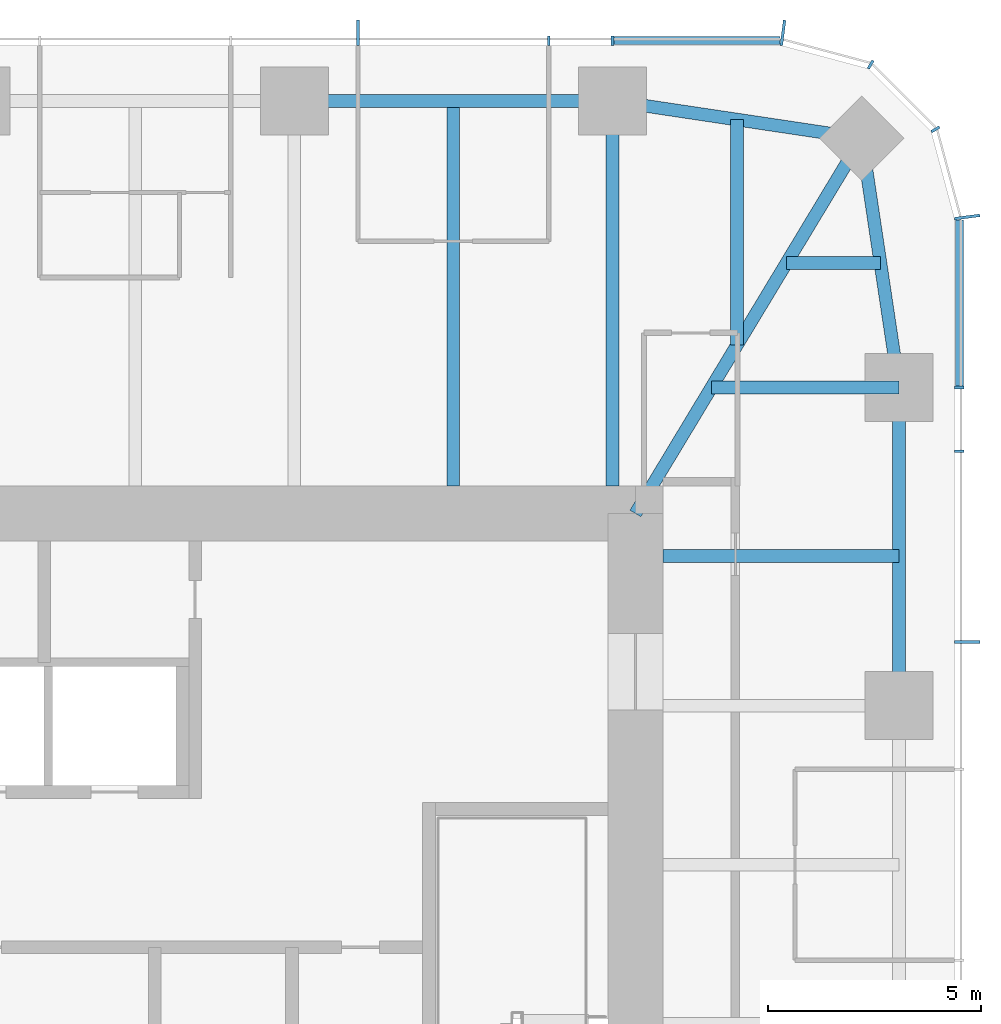
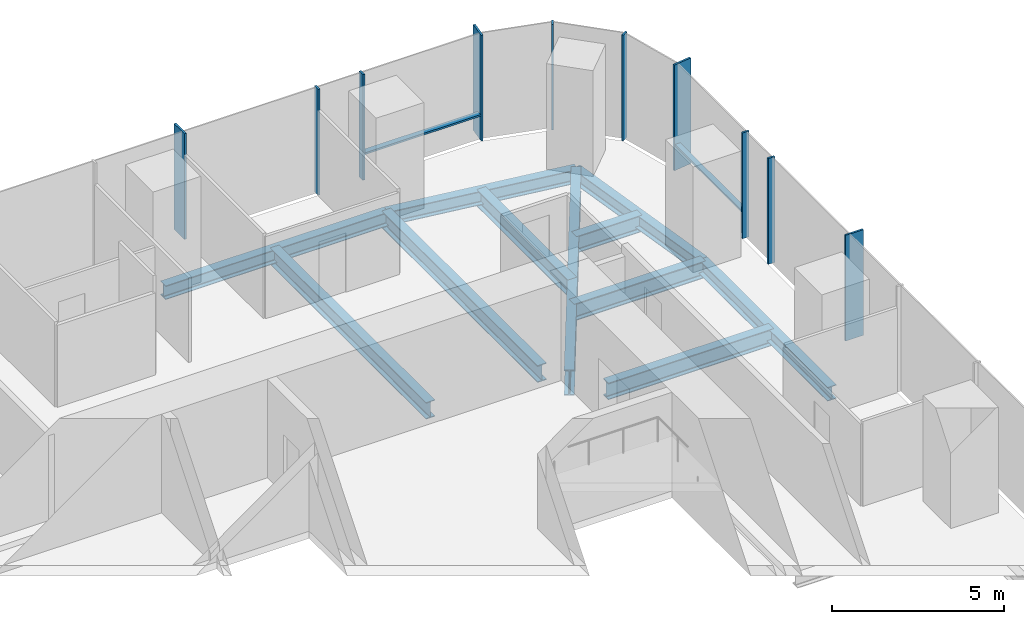
# One storey, part 6 of 12: 12 members, 11 beams, 3 elements without a shape of their own.
"""IFC4 building model written with IfcOpenShell, lengths in metres."""

from ifc_helpers import new_model, si_unit, direction, frame, origin, origin_2d, place, context, subcontext, project, spatial, rectangle, i_section, extrude, material, material_profile, profile_set, type_object, element, aggregate, save


model = new_model("IFC4")

# Units and contexts
model_context = context("Model", 3, precision=1e-05, world=origin(), true_north=direction((0.0, 1.0)))
body_context = subcontext(model_context, "Body", "Model", "MODEL_VIEW")
ifc_project = project(units=[si_unit("LENGTHUNIT", "METRE"), si_unit("AREAUNIT", "SQUARE_METRE"), si_unit("VOLUMEUNIT", "CUBIC_METRE"), si_unit("PLANEANGLEUNIT", "RADIAN"), si_unit("MASSUNIT", "GRAM", prefix="KILO")], contexts=[model_context])

# Site, building, storey
site_placement = place(None, origin())
site = spatial("IfcSite", under=ifc_project, at=site_placement, CompositionType="ELEMENT")
building_placement = place(site_placement, origin())
building = spatial("IfcBuilding", under=site, at=building_placement, Name="Khuree Lantern Residences", CompositionType="ELEMENT")
storey_placement = place(building_placement, frame((0.0, 0.0, 338.25)))
storey = spatial("IfcBuildingStorey", under=building, at=storey_placement, Name="L85", CompositionType="ELEMENT", Elevation=338.25)

# Beams
ifc_material_1 = material(Name="Steel S355", Category="steel")
ifc_material_profile_1 = material_profile(ifc_material_1, i_section(OverallWidth=0.300048828125, OverallDepth=0.590087890625, WebThickness=0.012939453125, FlangeThickness=0.02490234375, FilletRadius=0.027099609375, at=origin_2d()), Name="HE 600 A")
ifc_profile_set_1 = profile_set([ifc_material_profile_1], Name="Steel S355")
beam_type_1 = type_object("IfcBeamType", Name="B-44 SECONDARY BEAM HE 600 A", PredefinedType="BEAM", material=ifc_profile_set_1)
beam_1_placement = place(storey_placement, frame((11.219970703125, 21.699951171875, -0.544921875), z_axis=(0.0, -1.0, 0.0), x_axis=(1.0, 0.0, 0.0)))
element("IfcBeam", 1, at=beam_1_placement, inside=storey, type_object=beam_type_1, Name="Secondary beam N4", PredefinedType="BEAM", context=body_context, shape_type="SweptSolid", body=[
    extrude(i_section(OverallWidth=0.300048828125, OverallDepth=0.590087890625, WebThickness=0.012939453125, FlangeThickness=0.02490234375, FilletRadius=0.027099609375, at=origin_2d()), origin(), (0.0, 0.0, 1.0), 9.050048828125),
])
beam_2_placement = place(storey_placement, frame((17.890625, 21.2607421875, -0.544921875), z_axis=(0.0, -1.0, 0.0), x_axis=(1.0, 0.0, 0.0)))
element("IfcBeam", 2, at=beam_2_placement, inside=storey, type_object=beam_type_1, Name="Secondary beam N5", PredefinedType="BEAM", context=body_context, shape_type="SweptSolid", body=[
    extrude(i_section(OverallWidth=0.300048828125, OverallDepth=0.590087890625, WebThickness=0.012939453125, FlangeThickness=0.02490234375, FilletRadius=0.027099609375, at=origin_2d()), origin(), (0.0, 0.0, 1.0), 5.297607421875),
])
beam_3_placement = place(storey_placement, frame((21.2607421875, 17.890625, -0.544921875), z_axis=(-1.0, 0.0, 0.0), x_axis=(0.0, -1.0, 0.0)))
element("IfcBeam", 3, at=beam_3_placement, inside=storey, type_object=beam_type_1, Name="Secondary beam E1", PredefinedType="BEAM", context=body_context, shape_type="SweptSolid", body=[
    extrude(i_section(OverallWidth=0.300048828125, OverallDepth=0.590087890625, WebThickness=0.012939453125, FlangeThickness=0.02490234375, FilletRadius=0.027099609375, at=origin_2d()), origin(), (0.0, 0.0, 1.0), 2.207275390625),
])
beam_4_placement = place(storey_placement, frame((21.699951171875, 11.0, -0.544921875), z_axis=(-1.0, 0.0, 0.0), x_axis=(0.0, -1.0, 0.0)))
element("IfcBeam", 4, at=beam_4_placement, inside=storey, type_object=beam_type_1, Name="Secondary beam E2", PredefinedType="BEAM", context=body_context, shape_type="SweptSolid", body=[
    extrude(i_section(OverallWidth=0.300048828125, OverallDepth=0.590087890625, WebThickness=0.012939453125, FlangeThickness=0.02490234375, FilletRadius=0.027099609375, at=origin_2d()), origin(), (0.0, 0.0, 1.0), 5.550048828125),
])
ifc_material_profile_2 = material_profile(ifc_material_1, i_section(OverallWidth=0.300048828125, OverallDepth=0.489990234375, WebThickness=0.011962890625, FlangeThickness=0.02294921875, FilletRadius=0.027099609375, at=origin_2d()), Name="HE 500 A")
ifc_profile_set_2 = profile_set([ifc_material_profile_2], Name="Steel S355")
beam_type_2 = type_object("IfcBeamType", Name="E-44 SPANDREL BEAM HE 500 A", PredefinedType="SPANDREL", material=ifc_profile_set_2)
beam_5_placement = place(storey_placement, frame((7.47998046875, 21.699951171875, -0.4951171875), z_axis=(1.0, 0.0, 0.0), x_axis=(0.0, 1.0, 0.0)))
element("IfcBeam", 5, at=beam_5_placement, inside=storey, type_object=beam_type_2, Name="Spandrel beam N4", PredefinedType="SPANDREL", context=body_context, shape_type="SweptSolid", body=[
    extrude(i_section(OverallWidth=0.300048828125, OverallDepth=0.489990234375, WebThickness=0.011962890625, FlangeThickness=0.02294921875, FilletRadius=0.027099609375, at=origin_2d()), origin(), (0.0, 0.0, 1.0), 7.47998046875),
])
for number, where, z_axis, x_axis, name in (
    (6, (14.9599609375, 21.699951171875, -0.4951171875), (0.988949643299, -0.148251822985, 0.0), (0.148251822985, 0.988949643299, 0.0), "Spandrel beam N5"),
    (7, (20.8212890625, 20.8212890625, -0.4951171875), (0.148251822985, -0.988949643299, 0.0), (0.988949643299, 0.148251822985, 0.0), "Spandrel beam E1"),
):
    element("IfcBeam", number, at=place(storey_placement, frame(where, z_axis=z_axis, x_axis=x_axis)), inside=storey, type_object=beam_type_2, Name=name, PredefinedType="SPANDREL", context=body_context, shape_type="SweptSolid", body=[
        extrude(i_section(OverallWidth=0.300048828125, OverallDepth=0.489990234375, WebThickness=0.011962890625, FlangeThickness=0.02294921875, FilletRadius=0.027099609375, at=origin_2d()), origin(), (0.0, 0.0, 1.0), 5.9267578125),
    ])
beam_6_placement = place(storey_placement, frame((21.699951171875, 14.9599609375, -0.4951171875), z_axis=(0.0, -1.0, 0.0), x_axis=(1.0, 0.0, 0.0)))
element("IfcBeam", 8, at=beam_6_placement, inside=storey, type_object=beam_type_2, Name="Spandrel beam E2", PredefinedType="SPANDREL", context=body_context, shape_type="SweptSolid", body=[
    extrude(i_section(OverallWidth=0.300048828125, OverallDepth=0.489990234375, WebThickness=0.011962890625, FlangeThickness=0.02294921875, FilletRadius=0.027099609375, at=origin_2d()), origin(), (0.0, 0.0, 1.0), 7.47998046875),
])

# Curtain wall, member
ifc_material_2 = material(Name="Bronze anodised aluminium", Category="aluminium")
curtain_wall_type_1 = type_object("IfcCurtainWallType", Name="CW-T1 TOWER FACE CURTAIN WALL", PredefinedType="USERDEFINED", material=ifc_material_2)
curtain_wall_1_placement = place(storey_placement, origin())
curtain_wall_1 = element("IfcCurtainWall", 9, at=curtain_wall_1_placement, inside=storey, type_object=curtain_wall_type_1, Name="L85 EAST FACE CURTAIN WALL", ObjectType="Stick-built curtain wall", PredefinedType="USERDEFINED")
ifc_material_profile_3 = material_profile(ifc_material_2, rectangle(XDim=0.06494140625, YDim=0.60009765625, at=origin_2d()), Name="F1 65X600")
ifc_profile_set_3 = profile_set([ifc_material_profile_3], Name="Bronze anodised aluminium")
member_type_1 = type_object("IfcMemberType", Name="F1 BRONZE FIN MULLION TOWER 65X600", PredefinedType="MULLION", material=ifc_profile_set_3)
member_1_placement = place(storey_placement, frame((23.300048828125, 8.97607421875, 0.0), z_axis=(0.0, 0.0, 1.0), x_axis=(0.0, 1.0, 0.0)))
member_1 = element("IfcMember", 10, at=member_1_placement, type_object=member_type_1, Name="L85 EAST FACE FIN MULLION 12", PredefinedType="MULLION", context=body_context, shape_type="SweptSolid", body=[
    extrude(rectangle(XDim=0.06494140625, YDim=0.60009765625, at=origin_2d()), origin(), (0.0, 0.0, 1.0), 3.75),
])

curtain_wall_type_2 = type_object("IfcCurtainWallType", Name="CW-T2 TOWER CORNER CURTAIN WALL", PredefinedType="USERDEFINED", material=ifc_material_2)
curtain_wall_2_placement = place(storey_placement, origin())
curtain_wall_2 = element("IfcCurtainWall", 11, at=curtain_wall_2_placement, inside=storey, type_object=curtain_wall_type_2, Name="L85 NORTH-EAST CORNER CURTAIN WALL", ObjectType="Faceted corner curtain wall", PredefinedType="USERDEFINED")
member_2_placement = place(storey_placement, frame((23.300048828125, 18.9697265625, 0.0), z_axis=(0.0, 0.0, 1.0), x_axis=(-0.130526125236, 0.991444870192, 0.0)))
member_2 = element("IfcMember", 12, at=member_2_placement, type_object=member_type_1, Name="L85 NORTH-EAST CORNER FIN MULLION 15", PredefinedType="MULLION", context=body_context, shape_type="SweptSolid", body=[
    extrude(rectangle(XDim=0.06494140625, YDim=0.60009765625, at=origin_2d()), origin(), (0.0, 0.0, 1.0), 3.75),
])

# Curtain wall, members
curtain_wall_3_placement = place(storey_placement, origin())
curtain_wall_3 = element("IfcCurtainWall", 13, at=curtain_wall_3_placement, inside=storey, type_object=curtain_wall_type_1, Name="L85 NORTH FACE CURTAIN WALL", ObjectType="Stick-built curtain wall", PredefinedType="USERDEFINED")
member_3_placement = place(storey_placement, frame((18.9697265625, 23.300048828125, 0.0), z_axis=(0.0, 0.0, 1.0), x_axis=(-0.991444870192, 0.130526125236, 0.0)))
member_3 = element("IfcMember", 14, at=member_3_placement, type_object=member_type_1, Name="L85 NORTH FACE FIN MULLION 18", PredefinedType="MULLION", context=body_context, shape_type="SweptSolid", body=[
    extrude(rectangle(XDim=0.06494140625, YDim=0.60009765625, at=origin_2d()), origin(), (0.0, 0.0, 1.0), 3.75),
])
member_4_placement = place(storey_placement, frame((8.97607421875, 23.300048828125, 0.0), z_axis=(0.0, 0.0, 1.0), x_axis=(-1.0, 0.0, 0.0)))
member_4 = element("IfcMember", 15, at=member_4_placement, type_object=member_type_1, Name="L85 NORTH FACE FIN MULLION 21", PredefinedType="MULLION", context=body_context, shape_type="SweptSolid", body=[
    extrude(rectangle(XDim=0.06494140625, YDim=0.60009765625, at=origin_2d()), origin(), (0.0, 0.0, 1.0), 3.75),
])

# Beams
ifc_material_profile_4 = material_profile(ifc_material_1, i_section(OverallWidth=0.300048828125, OverallDepth=0.60009765625, WebThickness=0.015380859375, FlangeThickness=0.030029296875, FilletRadius=0.027099609375, at=origin_2d()), Name="HE 600 B")
ifc_profile_set_4 = profile_set([ifc_material_profile_4], Name="Steel S355")
beam_type_3 = type_object("IfcBeamType", Name="G-44 GIRDER HE 600 B", PredefinedType="BEAM", material=ifc_profile_set_4)
beam_7_placement = place(storey_placement, frame((14.9599609375, 21.699951171875, -0.550048828125), z_axis=(0.0, -1.0, 0.0), x_axis=(1.0, 0.0, 0.0)))
element("IfcBeam", 16, at=beam_7_placement, inside=storey, type_object=beam_type_3, Name="Girder N5", PredefinedType="BEAM", context=body_context, shape_type="SweptSolid", body=[
    extrude(i_section(OverallWidth=0.300048828125, OverallDepth=0.60009765625, WebThickness=0.015380859375, FlangeThickness=0.030029296875, FilletRadius=0.027099609375, at=origin_2d()), origin(), (0.0, 0.0, 1.0), 9.050048828125),
])
beam_8_placement = place(storey_placement, frame((21.699951171875, 14.9599609375, -0.550048828125), z_axis=(-1.0, 0.0, 0.0), x_axis=(0.0, -1.0, 0.0)))
element("IfcBeam", 17, at=beam_8_placement, inside=storey, type_object=beam_type_3, Name="Girder E1", PredefinedType="BEAM", context=body_context, shape_type="SweptSolid", body=[
    extrude(i_section(OverallWidth=0.300048828125, OverallDepth=0.60009765625, WebThickness=0.015380859375, FlangeThickness=0.030029296875, FilletRadius=0.027099609375, at=origin_2d()), origin(), (0.0, 0.0, 1.0), 4.414306640625),
])
ifc_material_profile_5 = material_profile(ifc_material_1, i_section(OverallWidth=0.300048828125, OverallDepth=0.89990234375, WebThickness=0.0185546875, FlangeThickness=0.034912109375, FilletRadius=0.030029296875, at=origin_2d()), Name="HE 900 B")
ifc_profile_set_5 = profile_set([ifc_material_profile_5], Name="Steel S355")
beam_type_4 = type_object("IfcBeamType", Name="GD-44 CORNER GIRDER HE 900 B", PredefinedType="BEAM", material=ifc_profile_set_5)
beam_9_placement = place(storey_placement, frame((20.8212890625, 20.8212890625, -0.699951171875), z_axis=(-0.516529577604, -0.856269347495, 0.0), x_axis=(0.856269347495, -0.516529577604, 0.0)))
element("IfcBeam", 18, at=beam_9_placement, inside=storey, type_object=beam_type_4, Name="Corner girder NE", PredefinedType="BEAM", context=body_context, shape_type="SweptSolid", body=[
    extrude(i_section(OverallWidth=0.300048828125, OverallDepth=0.89990234375, WebThickness=0.0185546875, FlangeThickness=0.034912109375, FilletRadius=0.030029296875, at=origin_2d()), origin(), (0.0, 0.0, 1.0), 10.302001953125),
])

# Member
ifc_material_profile_6 = material_profile(ifc_material_2, rectangle(XDim=0.06494140625, YDim=0.219970703125, at=origin_2d()), Name="M1 65X220")
ifc_profile_set_6 = profile_set([ifc_material_profile_6], Name="Bronze anodised aluminium")
member_type_2 = type_object("IfcMemberType", Name="M1 BRONZE MULLION TOWER 65X220", PredefinedType="MULLION", material=ifc_profile_set_6)
member_5_placement = place(storey_placement, frame((23.110107421875, 13.464111328125, 0.0), z_axis=(0.0, 0.0, 1.0), x_axis=(0.0, 1.0, 0.0)))
member_5 = element("IfcMember", 19, at=member_5_placement, type_object=member_type_2, Name="L85 EAST FACE MULLION 13", PredefinedType="MULLION", context=body_context, shape_type="SweptSolid", body=[
    extrude(rectangle(XDim=0.06494140625, YDim=0.219970703125, at=origin_2d()), origin(), (0.0, 0.0, 1.0), 3.75),
])

member_6_placement = place(storey_placement, frame((23.110107421875, 14.9599609375, 0.0), z_axis=(0.0, 0.0, 1.0), x_axis=(0.0, 1.0, 0.0)))
member_6 = element("IfcMember", 20, at=member_6_placement, type_object=member_type_2, Name="L85 EAST FACE MULLION 14", PredefinedType="MULLION", context=body_context, shape_type="SweptSolid", body=[
    extrude(rectangle(XDim=0.06494140625, YDim=0.219970703125, at=origin_2d()), origin(), (0.0, 0.0, 1.0), 3.75),
])

member_7_placement = place(storey_placement, frame((22.552734375, 21.030029296875, 0.0), z_axis=(0.0, 0.0, 1.0), x_axis=(-0.49999994149, 0.866025437565, 0.0)))
member_7 = element("IfcMember", 21, at=member_7_placement, type_object=member_type_2, Name="L85 NORTH-EAST CORNER MULLION 16", PredefinedType="MULLION", context=body_context, shape_type="SweptSolid", body=[
    extrude(rectangle(XDim=0.06494140625, YDim=0.219970703125, at=origin_2d()), origin(), (0.0, 0.0, 1.0), 3.75),
])

member_8_placement = place(storey_placement, frame((21.030029296875, 22.552734375, 0.0), z_axis=(0.0, 0.0, 1.0), x_axis=(-0.866025437565, 0.49999994149, 0.0)))
member_8 = element("IfcMember", 22, at=member_8_placement, type_object=member_type_2, Name="L85 NORTH-EAST CORNER MULLION 17", PredefinedType="MULLION", context=body_context, shape_type="SweptSolid", body=[
    extrude(rectangle(XDim=0.06494140625, YDim=0.219970703125, at=origin_2d()), origin(), (0.0, 0.0, 1.0), 3.75),
])

aggregate(curtain_wall_2, [member_2, member_7, member_8])

member_9_placement = place(storey_placement, frame((14.9599609375, 23.110107421875, 0.0), z_axis=(0.0, 0.0, 1.0), x_axis=(-1.0, 0.0, 0.0)))
member_9 = element("IfcMember", 23, at=member_9_placement, type_object=member_type_2, Name="L85 NORTH FACE MULLION 19", PredefinedType="MULLION", context=body_context, shape_type="SweptSolid", body=[
    extrude(rectangle(XDim=0.06494140625, YDim=0.219970703125, at=origin_2d()), origin(), (0.0, 0.0, 1.0), 3.75),
])

member_10_placement = place(storey_placement, frame((13.464111328125, 23.110107421875, 0.0), z_axis=(0.0, 0.0, 1.0), x_axis=(-1.0, 0.0, 0.0)))
member_10 = element("IfcMember", 24, at=member_10_placement, type_object=member_type_2, Name="L85 NORTH FACE MULLION 20", PredefinedType="MULLION", context=body_context, shape_type="SweptSolid", body=[
    extrude(rectangle(XDim=0.06494140625, YDim=0.219970703125, at=origin_2d()), origin(), (0.0, 0.0, 1.0), 3.75),
])

ifc_material_profile_7 = material_profile(ifc_material_2, rectangle(XDim=0.179931640625, YDim=0.06494140625, at=origin_2d()), Name="T1 180X65")
ifc_profile_set_7 = profile_set([ifc_material_profile_7], Name="Bronze anodised aluminium")
member_type_3 = type_object("IfcMemberType", Name="TRANSOM T1 TOWER 180X65", PredefinedType="USERDEFINED", material=ifc_profile_set_7)
member_11_placement = place(storey_placement, frame((23.1201171875, 14.992431640625, 0.89990234375), z_axis=(0.0, 1.0, 0.0), x_axis=(-1.0, 0.0, 0.0)))
member_11 = element("IfcMember", 25, at=member_11_placement, type_object=member_type_3, Name="L85 EAST FACE TRANSOM 14.1", ObjectType="Transom", PredefinedType="USERDEFINED", context=body_context, shape_type="SweptSolid", body=[
    extrude(rectangle(XDim=0.179931640625, YDim=0.06494140625, at=origin_2d()), origin(), (0.0, 0.0, 1.0), 3.908935546875),
])

aggregate(curtain_wall_1, [member_1, member_5, member_6, member_11])

member_12_placement = place(storey_placement, frame((18.9013671875, 23.1201171875, 0.89990234375), z_axis=(-1.0, 0.0, 0.0), x_axis=(0.0, -1.0, 0.0)))
member_12 = element("IfcMember", 26, at=member_12_placement, type_object=member_type_3, Name="L85 NORTH FACE TRANSOM 18.1", ObjectType="Transom", PredefinedType="USERDEFINED", context=body_context, shape_type="SweptSolid", body=[
    extrude(rectangle(XDim=0.179931640625, YDim=0.06494140625, at=origin_2d()), origin(), (0.0, 0.0, 1.0), 3.908935546875),
])

aggregate(curtain_wall_3, [member_3, member_9, member_10, member_4, member_12])

save(model, "model.ifc")
